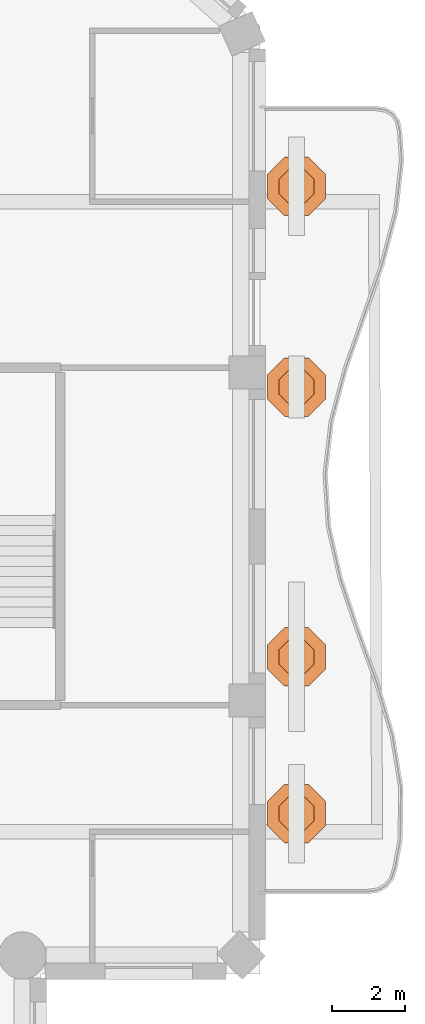
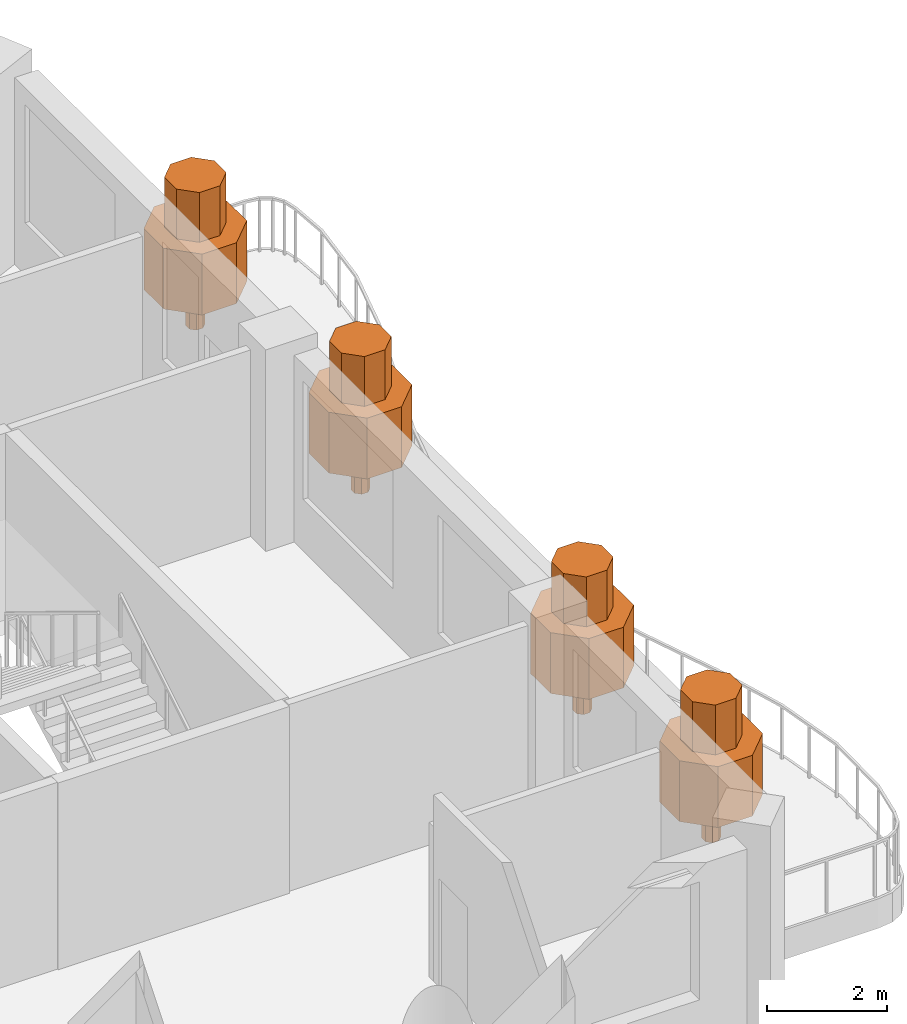
# One storey, part 15 of 15: 4 geographic elements.
"""IFC4 building model written with IfcOpenShell, lengths in metres."""

from ifc_helpers import new_model, si_unit, direction, frame, origin, place, context, subcontext, project, spatial, polyline, outline, extrude, material, type_object, element, save


model = new_model("IFC4")

# Units and contexts
model_context = context("Model", 3, precision=1e-05, world=origin(), true_north=direction((0.0, 1.0)))
body_context = subcontext(model_context, "Body", "Model", "MODEL_VIEW")
ifc_project = project(units=[si_unit("LENGTHUNIT", "METRE"), si_unit("AREAUNIT", "SQUARE_METRE"), si_unit("VOLUMEUNIT", "CUBIC_METRE"), si_unit("PLANEANGLEUNIT", "RADIAN"), si_unit("MASSUNIT", "GRAM", prefix="KILO")], contexts=[model_context])

# Site, building, storey
site_placement = place(None, origin())
site = spatial("IfcSite", under=ifc_project, at=site_placement, CompositionType="ELEMENT")
building_placement = place(site_placement, origin())
building = spatial("IfcBuilding", under=site, at=building_placement, Name="Cypress Arch Tower", CompositionType="ELEMENT")
storey_placement = place(building_placement, frame((0.0, 0.0, 292.60009765625)))
storey = spatial("IfcBuildingStorey", under=building, at=storey_placement, Name="L66", CompositionType="ELEMENT", Elevation=292.60009765625)

# Geographic elements
ifc_material = material(Name="Foliage and planting")
geographic_element_type = type_object("IfcGeographicElementType", Name="Balcony tree TR", PredefinedType="USERDEFINED", material=ifc_material)
for number, where, z_axis, x_axis, name in (
    (1, (25.60009765625, -7.60009765625, 0.599853515625), (0.0, 0.0, 1.0), (1.0, 0.0, 0.0), "Balcony tree L66-C17.1"),
    (2, (25.60009765625, -3.300048828125, 0.599853515625), (0.0, 0.0, 1.0), (1.0, 0.0, 0.0), "Balcony tree L66-C17.2"),
    (3, (25.60009765625, 4.095703125, 0.599853515625), (0.0, 0.0, 1.0), (1.0, 0.0, 0.0), "Balcony tree L66-C17.3"),
    (4, (25.60009765625, 9.60009765625, 0.599853515625), (0.0, 0.0, 1.0), (1.0, 0.0, 0.0), "Balcony tree L66-C17.4"),
):
    element("IfcGeographicElement", number, at=place(storey_placement, frame(where, z_axis=z_axis, x_axis=x_axis)), inside=storey, type_object=geographic_element_type, Name=name, ObjectType="TREE", PredefinedType="USERDEFINED", context=body_context, shape_type="SweptSolid", body=[
        extrude(outline(polyline([(0.14990234375, 0.06201171875), (0.06201171875, 0.14990234375), (-0.06201171875, 0.14990234375), (-0.14990234375, 0.06201171875), (-0.14990234375, -0.06201171875), (-0.06201171875, -0.14990234375), (0.06201171875, -0.14990234375), (0.14990234375, -0.06201171875), (0.14990234375, 0.06201171875)])), origin(), (0.0, 0.0, 1.0), 0.89990234375),
        extrude(outline(polyline([(0.800048828125, 0.331298828125), (0.331298828125, 0.800048828125), (-0.331298828125, 0.800048828125), (-0.800048828125, 0.331298828125), (-0.800048828125, -0.331298828125), (-0.331298828125, -0.800048828125), (0.331298828125, -0.800048828125), (0.800048828125, -0.331298828125), (0.800048828125, 0.331298828125)])), frame((0.0, 0.0, 0.800048828125)), (0.0, 0.0, 1.0), 1.237548828125),
        extrude(outline(polyline([(0.47998046875, 0.19873046875), (0.19873046875, 0.47998046875), (-0.19873046875, 0.47998046875), (-0.47998046875, 0.19873046875), (-0.47998046875, -0.19873046875), (-0.19873046875, -0.47998046875), (0.19873046875, -0.47998046875), (0.47998046875, -0.19873046875), (0.47998046875, 0.19873046875)])), frame((0.0, 0.0, 2.03759765625)), (0.0, 0.0, 1.0), 1.012451171875),
    ])

save(model, "model.ifc")
